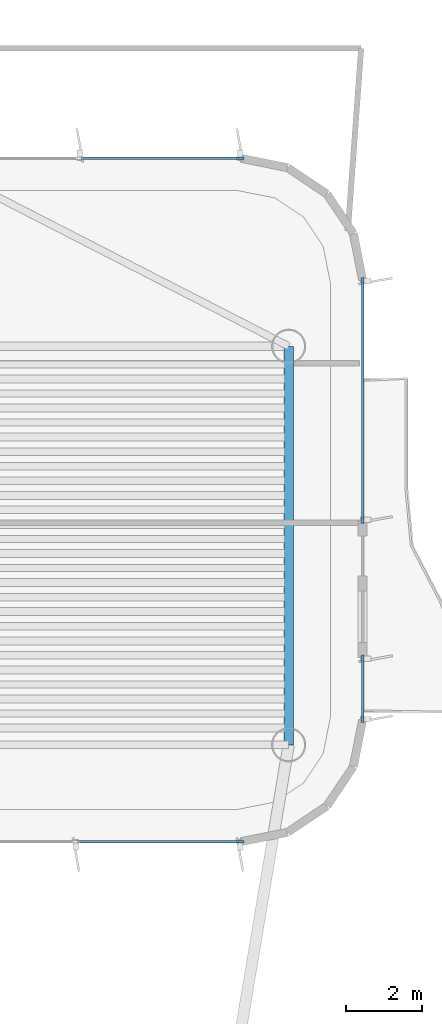
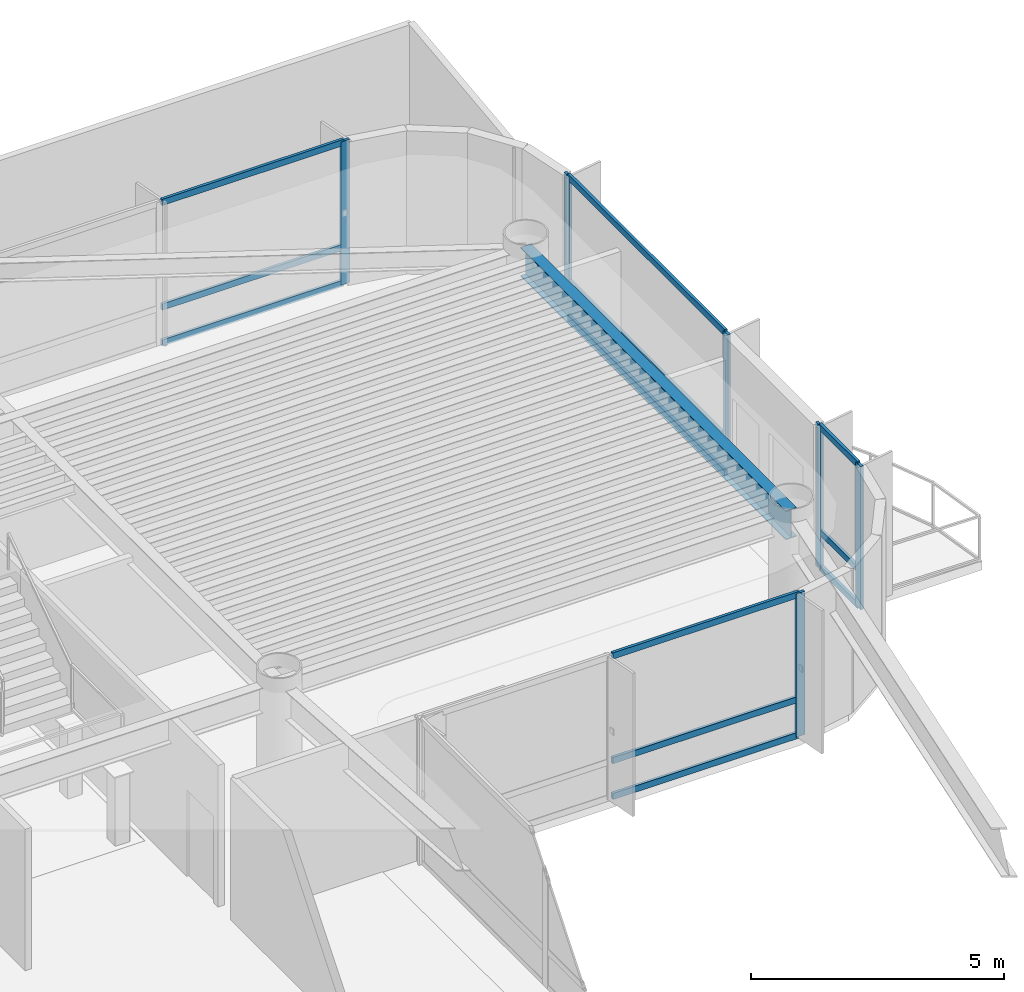
# One storey, part 8 of 17: 18 members, 1 beam, 4 elements without a shape of their own.
"""IFC4 building model written with IfcOpenShell, lengths in metres."""

from ifc_helpers import new_model, si_unit, direction, frame, origin, origin_2d, place, context, subcontext, project, spatial, rectangle, i_section, extrude, source, transform, mapped, material, layer, layer_set, material_profile, profile_set, type_object, element, aggregate, save


model = new_model("IFC4")

# Units and contexts
model_context = context("Model", 3, precision=1e-05, world=origin(), true_north=direction((0.0, 1.0)))
body_context = subcontext(model_context, "Body", "Model", "MODEL_VIEW")
ifc_project = project(units=[si_unit("LENGTHUNIT", "METRE"), si_unit("AREAUNIT", "SQUARE_METRE"), si_unit("VOLUMEUNIT", "CUBIC_METRE"), si_unit("PLANEANGLEUNIT", "RADIAN"), si_unit("MASSUNIT", "GRAM", prefix="KILO")], contexts=[model_context])

# Site, building, storey
site_placement = place(None, origin())
site = spatial("IfcSite", under=ifc_project, at=site_placement, CompositionType="ELEMENT")
building_placement = place(site_placement, origin())
building = spatial("IfcBuilding", under=site, at=building_placement, Name="Brelvock Crest Care Tower", CompositionType="ELEMENT")
storey_placement = place(building_placement, frame((0.0, 0.0, 287.280029296875)))
storey = spatial("IfcBuildingStorey", under=building, at=storey_placement, Name="L73", CompositionType="ELEMENT", Elevation=287.280029296875)

# Beam
ifc_material_1 = material(Name="Steel Grade 350", Category="steel")
ifc_material_profile_1 = material_profile(ifc_material_1, i_section(OverallWidth=0.25, OverallDepth=0.699951171875, WebThickness=0.011962890625, FlangeThickness=0.02001953125, at=origin_2d()), Name="700WB150")
ifc_profile_set_1 = profile_set([ifc_material_profile_1], Name="Steel Grade 350")
beam_type = type_object("IfcBeamType", Name="BM-G4", PredefinedType="BEAM", material=ifc_profile_set_1)
shared_shape_1 = source(origin(), body_context, "Body", "SweptSolid", [
    extrude(i_section(OverallWidth=0.25, OverallDepth=0.699951171875, WebThickness=0.011962890625, FlangeThickness=0.02001953125, at=origin_2d()), origin(), (0.0, 0.0, 1.0), 10.5),
])
beam_placement = place(storey_placement, frame((52.35009765625, 43.949951171875, 3.10986328125), z_axis=(0.0, 1.0, 0.0), x_axis=(-1.0, 0.0, 0.0)))
element("IfcBeam", 1, at=beam_placement, inside=storey, type_object=beam_type, Name="BM-TWR-L73-02", PredefinedType="BEAM", context=body_context, shape_type="MappedRepresentation", body=[
    mapped(shared_shape_1, transform((0.0, 0.0, 0.0), x_axis=(1.0, 0.0, 0.0), y_axis=(0.0, 1.0, 0.0), z_axis=(0.0, 0.0, 1.0), scale=1.0)),
])

# Curtain wall, members
ifc_material_2 = material(Name="Dark Glass Double Glazed Low-E", Category="glass")
ifc_layer = layer(ifc_material_2, 0.2548828125, Name="CWS-6")
ifc_layer_set = layer_set([ifc_layer], Name="Dark Glass Double Glazed Low-E")
curtain_wall_type = type_object("IfcCurtainWallType", Name="CWS-6", PredefinedType="NOTDEFINED", material=ifc_layer_set)
curtain_wall_1_placement = place(storey_placement, origin())
curtain_wall_1 = element("IfcCurtainWall", 2, at=curtain_wall_1_placement, inside=storey, type_object=curtain_wall_type, Name="L73 Curtain Wall E34", PredefinedType="NOTDEFINED")
ifc_material_3 = material(Name="Aluminium 6063-T6", Category="aluminium")
ifc_material_profile_2 = material_profile(ifc_material_3, rectangle(XDim=0.06494140625, YDim=0.14990234375, at=origin_2d()), Name="ALU65x150")
ifc_profile_set_2 = profile_set([ifc_material_profile_2], Name="Aluminium 6063-T6")
member_type_1 = type_object("IfcMemberType", Name="CWT-1", PredefinedType="USERDEFINED", material=ifc_profile_set_2)
shared_shape_2 = source(origin(), body_context, "Body", "SweptSolid", [
    extrude(rectangle(XDim=0.06494140625, YDim=0.14990234375, at=origin_2d()), origin(), (0.0, 0.0, 1.0), 4.15234375),
])
member_1_placement = place(storey_placement, frame((46.882568359375, 59.39990234375, 0.032470703125), z_axis=(1.0, 0.0, 0.0), x_axis=(0.0, 1.0, 0.0)))
member_1 = element("IfcMember", 3, at=member_1_placement, type_object=member_type_1, Name="CW-6 transom 2.1", ObjectType="TRANSOM", PredefinedType="USERDEFINED", context=body_context, shape_type="MappedRepresentation", body=[
    mapped(shared_shape_2, transform((0.0, 0.0, 0.0), x_axis=(1.0, 0.0, 0.0), y_axis=(0.0, 1.0, 0.0), z_axis=(0.0, 0.0, 1.0), scale=1.0)),
])
member_2_placement = place(storey_placement, frame((46.882568359375, 59.39990234375, 0.89990234375), z_axis=(1.0, 0.0, 0.0), x_axis=(0.0, 1.0, 0.0)))
member_2 = element("IfcMember", 4, at=member_2_placement, type_object=member_type_1, Name="CW-6 transom 2.2", ObjectType="TRANSOM", PredefinedType="USERDEFINED", context=body_context, shape_type="MappedRepresentation", body=[
    mapped(shared_shape_2, transform((0.0, 0.0, 0.0), x_axis=(1.0, 0.0, 0.0), y_axis=(0.0, 1.0, 0.0), z_axis=(0.0, 0.0, 1.0), scale=1.0)),
])
member_3_placement = place(storey_placement, frame((46.882568359375, 59.39990234375, 3.427490234375), z_axis=(1.0, 0.0, 0.0), x_axis=(0.0, 1.0, 0.0)))
member_3 = element("IfcMember", 5, at=member_3_placement, type_object=member_type_1, Name="CW-6 transom 2.3", ObjectType="TRANSOM", PredefinedType="USERDEFINED", context=body_context, shape_type="MappedRepresentation", body=[
    mapped(shared_shape_2, transform((0.0, 0.0, 0.0), x_axis=(1.0, 0.0, 0.0), y_axis=(0.0, 1.0, 0.0), z_axis=(0.0, 0.0, 1.0), scale=1.0)),
])
ifc_material_profile_3 = material_profile(ifc_material_3, rectangle(XDim=0.06494140625, YDim=0.199951171875, at=origin_2d()), Name="ALU65x200")
ifc_profile_set_3 = profile_set([ifc_material_profile_3], Name="Aluminium 6063-T6")
member_type_2 = type_object("IfcMemberType", Name="CWM-1", PredefinedType="MULLION", material=ifc_profile_set_3)
shared_shape_3 = source(origin(), body_context, "Body", "SweptSolid", [
    extrude(rectangle(XDim=0.06494140625, YDim=0.199951171875, at=origin_2d()), origin(), (0.0, 0.0, 1.0), 3.4599609375),
])
member_4_placement = place(storey_placement, frame((51.0673828125, 59.39990234375, 0.0), z_axis=(0.0, 0.0, 1.0), x_axis=(0.0, 1.0, 0.0)))
member_4 = element("IfcMember", 6, at=member_4_placement, type_object=member_type_2, Name="CW-6 mullion 3", PredefinedType="MULLION", context=body_context, shape_type="MappedRepresentation", body=[
    mapped(shared_shape_3, transform((0.0, 0.0, 0.0), x_axis=(1.0, 0.0, 0.0), y_axis=(0.0, 1.0, 0.0), z_axis=(0.0, 0.0, 1.0), scale=1.0)),
])
aggregate(curtain_wall_1, [member_4, member_1, member_2, member_3])

curtain_wall_2_placement = place(storey_placement, origin())
curtain_wall_2 = element("IfcCurtainWall", 7, at=curtain_wall_2_placement, inside=storey, type_object=curtain_wall_type, Name="L73 Curtain Wall E39A", PredefinedType="NOTDEFINED")
member_5_placement = place(storey_placement, frame((54.300048828125, 56.16748046875, 0.0), z_axis=(0.0, 0.0, 1.0), x_axis=(1.0, 0.0, 0.0)))
member_5 = element("IfcMember", 8, at=member_5_placement, type_object=member_type_2, Name="CW-6 mullion 1", PredefinedType="MULLION", context=body_context, shape_type="MappedRepresentation", body=[
    mapped(shared_shape_3, transform((0.0, 0.0, 0.0), x_axis=(1.0, 0.0, 0.0), y_axis=(0.0, 1.0, 0.0), z_axis=(0.0, 0.0, 1.0), scale=1.0)),
])
member_6_placement = place(storey_placement, frame((54.300048828125, 49.882568359375, 0.0), z_axis=(0.0, 0.0, 1.0), x_axis=(1.0, 0.0, 0.0)))
member_6 = element("IfcMember", 9, at=member_6_placement, type_object=member_type_2, Name="CW-6 mullion 2", PredefinedType="MULLION", context=body_context, shape_type="MappedRepresentation", body=[
    mapped(shared_shape_3, transform((0.0, 0.0, 0.0), x_axis=(1.0, 0.0, 0.0), y_axis=(0.0, 1.0, 0.0), z_axis=(0.0, 0.0, 1.0), scale=1.0)),
])

curtain_wall_3_placement = place(storey_placement, origin())
curtain_wall_3 = element("IfcCurtainWall", 10, at=curtain_wall_3_placement, inside=storey, type_object=curtain_wall_type, Name="L73 Curtain Wall E39B", PredefinedType="NOTDEFINED")
member_7_placement = place(storey_placement, frame((54.300048828125, 46.217529296875, 0.0), z_axis=(0.0, 0.0, 1.0), x_axis=(1.0, 0.0, 0.0)))
member_7 = element("IfcMember", 11, at=member_7_placement, type_object=member_type_2, Name="CW-6 mullion 1", PredefinedType="MULLION", context=body_context, shape_type="MappedRepresentation", body=[
    mapped(shared_shape_3, transform((0.0, 0.0, 0.0), x_axis=(1.0, 0.0, 0.0), y_axis=(0.0, 1.0, 0.0), z_axis=(0.0, 0.0, 1.0), scale=1.0)),
])
member_8_placement = place(storey_placement, frame((54.300048828125, 44.632568359375, 0.0), z_axis=(0.0, 0.0, 1.0), x_axis=(1.0, 0.0, 0.0)))
member_8 = element("IfcMember", 12, at=member_8_placement, type_object=member_type_2, Name="CW-6 mullion 2", PredefinedType="MULLION", context=body_context, shape_type="MappedRepresentation", body=[
    mapped(shared_shape_3, transform((0.0, 0.0, 0.0), x_axis=(1.0, 0.0, 0.0), y_axis=(0.0, 1.0, 0.0), z_axis=(0.0, 0.0, 1.0), scale=1.0)),
])

curtain_wall_4_placement = place(storey_placement, origin())
curtain_wall_4 = element("IfcCurtainWall", 13, at=curtain_wall_4_placement, inside=storey, type_object=curtain_wall_type, Name="L73 Curtain Wall E44", PredefinedType="NOTDEFINED")
member_9_placement = place(storey_placement, frame((51.0673828125, 41.39990234375, 0.0), z_axis=(0.0, 0.0, 1.0), x_axis=(0.0, -1.0, 0.0)))
member_9 = element("IfcMember", 14, at=member_9_placement, type_object=member_type_2, Name="CW-6 mullion 1", PredefinedType="MULLION", context=body_context, shape_type="MappedRepresentation", body=[
    mapped(shared_shape_3, transform((0.0, 0.0, 0.0), x_axis=(1.0, 0.0, 0.0), y_axis=(0.0, 1.0, 0.0), z_axis=(0.0, 0.0, 1.0), scale=1.0)),
])
shared_shape_4 = source(origin(), body_context, "Body", "SweptSolid", [
    extrude(rectangle(XDim=0.06494140625, YDim=0.14990234375, at=origin_2d()), origin(), (0.0, 0.0, 1.0), 4.25244140625),
])
member_10_placement = place(storey_placement, frame((51.034912109375, 41.39990234375, 0.032470703125), z_axis=(-1.0, 0.0, 0.0), x_axis=(0.0, -1.0, 0.0)))
member_10 = element("IfcMember", 15, at=member_10_placement, type_object=member_type_1, Name="CW-6 transom 1.1", ObjectType="TRANSOM", PredefinedType="USERDEFINED", context=body_context, shape_type="MappedRepresentation", body=[
    mapped(shared_shape_4, transform((0.0, 0.0, 0.0), x_axis=(1.0, 0.0, 0.0), y_axis=(0.0, 1.0, 0.0), z_axis=(0.0, 0.0, 1.0), scale=1.0)),
])
member_11_placement = place(storey_placement, frame((51.034912109375, 41.39990234375, 0.89990234375), z_axis=(-1.0, 0.0, 0.0), x_axis=(0.0, -1.0, 0.0)))
member_11 = element("IfcMember", 16, at=member_11_placement, type_object=member_type_1, Name="CW-6 transom 1.2", ObjectType="TRANSOM", PredefinedType="USERDEFINED", context=body_context, shape_type="MappedRepresentation", body=[
    mapped(shared_shape_4, transform((0.0, 0.0, 0.0), x_axis=(1.0, 0.0, 0.0), y_axis=(0.0, 1.0, 0.0), z_axis=(0.0, 0.0, 1.0), scale=1.0)),
])
member_12_placement = place(storey_placement, frame((51.034912109375, 41.39990234375, 3.427490234375), z_axis=(-1.0, 0.0, 0.0), x_axis=(0.0, -1.0, 0.0)))
member_12 = element("IfcMember", 17, at=member_12_placement, type_object=member_type_1, Name="CW-6 transom 1.3", ObjectType="TRANSOM", PredefinedType="USERDEFINED", context=body_context, shape_type="MappedRepresentation", body=[
    mapped(shared_shape_4, transform((0.0, 0.0, 0.0), x_axis=(1.0, 0.0, 0.0), y_axis=(0.0, 1.0, 0.0), z_axis=(0.0, 0.0, 1.0), scale=1.0)),
])
aggregate(curtain_wall_4, [member_9, member_10, member_11, member_12])

# Member
shared_shape_5 = source(origin(), body_context, "Body", "SweptSolid", [
    extrude(rectangle(XDim=0.06494140625, YDim=0.14990234375, at=origin_2d()), origin(), (0.0, 0.0, 1.0), 6.219970703125),
])
member_13_placement = place(storey_placement, frame((54.300048828125, 56.135009765625, 0.032470703125), z_axis=(0.0, -1.0, 0.0), x_axis=(1.0, 0.0, 0.0)))
member_13 = element("IfcMember", 18, at=member_13_placement, type_object=member_type_1, Name="CW-6 transom 1.1", ObjectType="TRANSOM", PredefinedType="USERDEFINED", context=body_context, shape_type="MappedRepresentation", body=[
    mapped(shared_shape_5, transform((0.0, 0.0, 0.0), x_axis=(1.0, 0.0, 0.0), y_axis=(0.0, 1.0, 0.0), z_axis=(0.0, 0.0, 1.0), scale=1.0)),
])

member_14_placement = place(storey_placement, frame((54.300048828125, 56.135009765625, 0.89990234375), z_axis=(0.0, -1.0, 0.0), x_axis=(1.0, 0.0, 0.0)))
member_14 = element("IfcMember", 19, at=member_14_placement, type_object=member_type_1, Name="CW-6 transom 1.2", ObjectType="TRANSOM", PredefinedType="USERDEFINED", context=body_context, shape_type="MappedRepresentation", body=[
    mapped(shared_shape_5, transform((0.0, 0.0, 0.0), x_axis=(1.0, 0.0, 0.0), y_axis=(0.0, 1.0, 0.0), z_axis=(0.0, 0.0, 1.0), scale=1.0)),
])

member_15_placement = place(storey_placement, frame((54.300048828125, 56.135009765625, 3.427490234375), z_axis=(0.0, -1.0, 0.0), x_axis=(1.0, 0.0, 0.0)))
member_15 = element("IfcMember", 20, at=member_15_placement, type_object=member_type_1, Name="CW-6 transom 1.3", ObjectType="TRANSOM", PredefinedType="USERDEFINED", context=body_context, shape_type="MappedRepresentation", body=[
    mapped(shared_shape_5, transform((0.0, 0.0, 0.0), x_axis=(1.0, 0.0, 0.0), y_axis=(0.0, 1.0, 0.0), z_axis=(0.0, 0.0, 1.0), scale=1.0)),
])

aggregate(curtain_wall_2, [member_5, member_6, member_13, member_14, member_15])

shared_shape_6 = source(origin(), body_context, "Body", "SweptSolid", [
    extrude(rectangle(XDim=0.06494140625, YDim=0.14990234375, at=origin_2d()), origin(), (0.0, 0.0, 1.0), 1.52001953125),
])
member_16_placement = place(storey_placement, frame((54.300048828125, 46.18505859375, 0.032470703125), z_axis=(0.0, -1.0, 0.0), x_axis=(1.0, 0.0, 0.0)))
member_16 = element("IfcMember", 21, at=member_16_placement, type_object=member_type_1, Name="CW-6 transom 1.1", ObjectType="TRANSOM", PredefinedType="USERDEFINED", context=body_context, shape_type="MappedRepresentation", body=[
    mapped(shared_shape_6, transform((0.0, 0.0, 0.0), x_axis=(1.0, 0.0, 0.0), y_axis=(0.0, 1.0, 0.0), z_axis=(0.0, 0.0, 1.0), scale=1.0)),
])

member_17_placement = place(storey_placement, frame((54.300048828125, 46.18505859375, 0.89990234375), z_axis=(0.0, -1.0, 0.0), x_axis=(1.0, 0.0, 0.0)))
member_17 = element("IfcMember", 22, at=member_17_placement, type_object=member_type_1, Name="CW-6 transom 1.2", ObjectType="TRANSOM", PredefinedType="USERDEFINED", context=body_context, shape_type="MappedRepresentation", body=[
    mapped(shared_shape_6, transform((0.0, 0.0, 0.0), x_axis=(1.0, 0.0, 0.0), y_axis=(0.0, 1.0, 0.0), z_axis=(0.0, 0.0, 1.0), scale=1.0)),
])

member_18_placement = place(storey_placement, frame((54.300048828125, 46.18505859375, 3.427490234375), z_axis=(0.0, -1.0, 0.0), x_axis=(1.0, 0.0, 0.0)))
member_18 = element("IfcMember", 23, at=member_18_placement, type_object=member_type_1, Name="CW-6 transom 1.3", ObjectType="TRANSOM", PredefinedType="USERDEFINED", context=body_context, shape_type="MappedRepresentation", body=[
    mapped(shared_shape_6, transform((0.0, 0.0, 0.0), x_axis=(1.0, 0.0, 0.0), y_axis=(0.0, 1.0, 0.0), z_axis=(0.0, 0.0, 1.0), scale=1.0)),
])

aggregate(curtain_wall_3, [member_7, member_8, member_16, member_17, member_18])

save(model, "model.ifc")
